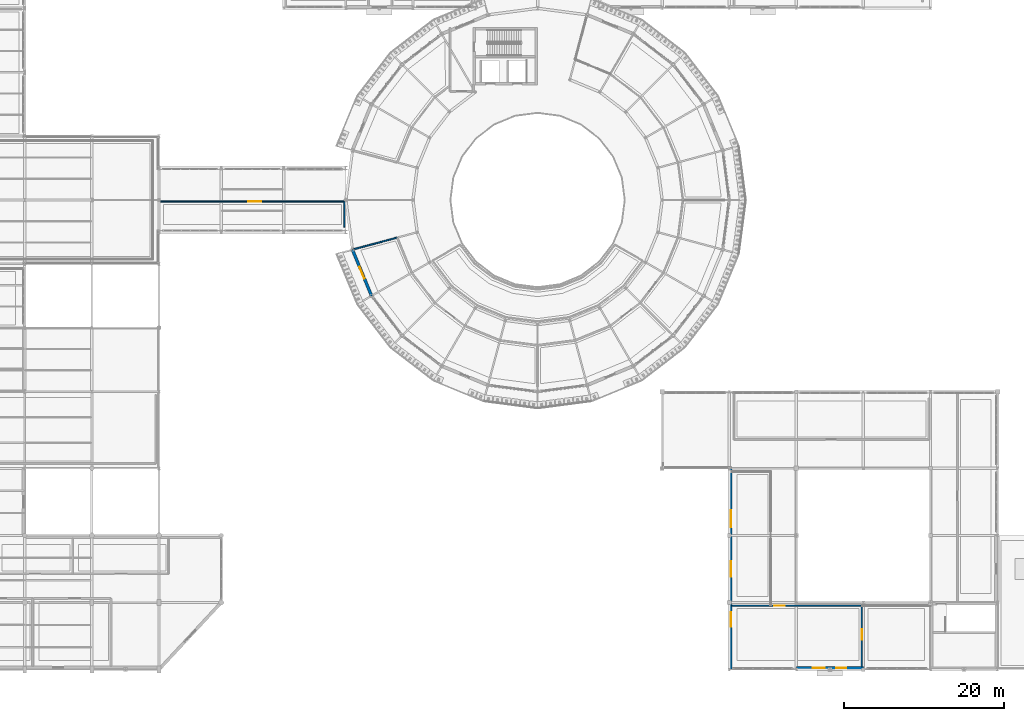
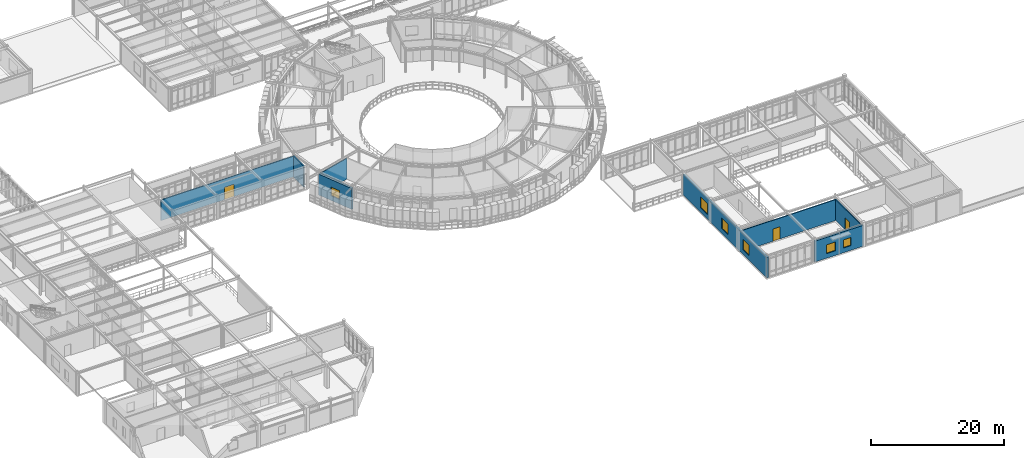
# One storey, part 85 of 106: 8 walls, 6 windows, 3 doors, 9 openings.
"""IFC4 building model written with IfcOpenShell, lengths in metres."""

from ifc_helpers import new_model, si_unit, derived_unit, direction, frame, frame_2d, origin, place, context, subcontext, project, spatial, rectangle, extrude, material, layer, layer_set, type_object, element, fill, save


model = new_model("IFC4")

# Units and contexts
model_context = context("Model", 3, precision=1e-05, world=origin(), true_north=direction((0.0, 1.0)))
body_context = subcontext(model_context, "Body", "Model", "MODEL_VIEW")
ifc_project = project(units=[si_unit("LENGTHUNIT", "METRE"), si_unit("AREAUNIT", "SQUARE_METRE"), si_unit("VOLUMEUNIT", "CUBIC_METRE"), si_unit("PLANEANGLEUNIT", "RADIAN"), si_unit("MASSUNIT", "GRAM", prefix="KILO"), derived_unit("THERMALTRANSMITTANCEUNIT", [(si_unit("POWERUNIT", "WATT"), 1), (si_unit("AREAUNIT", "SQUARE_METRE"), -1), (si_unit("THERMODYNAMICTEMPERATUREUNIT", "KELVIN"), -1)])], contexts=[model_context])

# Site, building, storey
site_placement = place(None, origin())
site = spatial("IfcSite", under=ifc_project, at=site_placement, CompositionType="ELEMENT")
building_placement = place(site_placement, origin())
building = spatial("IfcBuilding", under=site, at=building_placement, Name="Yasenodar Specialist Clinic", CompositionType="ELEMENT")
storey_placement = place(building_placement, frame((0.0, 0.0, 4.5)))
storey = spatial("IfcBuildingStorey", under=building, at=storey_placement, Name="L01", CompositionType="ELEMENT", Elevation=4.5)

# Wall, opening, window
ifc_material_1 = material(Name="Drum Insulated Terracotta Chord Wall", Category="masonry")
ifc_layer_1 = layer(ifc_material_1, 0.364990234375)
ifc_layer_set_1 = layer_set([ifc_layer_1], Name="Drum Insulated Terracotta Chord Wall")
wall_type_1 = type_object("IfcWallType", Name="EW-DRUM-365", PredefinedType="SOLIDWALL", material=ifc_layer_set_1)
wall_1_placement = place(storey_placement, frame((60.21533203125, 46.800048828125, 0.0), z_axis=(0.0, 0.0, 1.0), x_axis=(-0.382663829839, 0.9238876519, 0.0)))
wall_1 = element("IfcWall", 1, at=wall_1_placement, inside=storey, type_object=wall_type_1, Name="L01 Exterior Facade Wall 0013", PredefinedType="SOLIDWALL", context=body_context, shape_type="SweptSolid", body=[
    extrude(rectangle(XDim=6.26513671875, YDim=0.364990234375, at=frame_2d((3.132568359375, 0.0))), origin(), (0.0, 0.0, 1.0), 3.837890625),
])
opening_1_placement = place(wall_1_placement, frame((2.357666015625, 0.0, 0.85009765625)))
opening_1 = element("IfcOpeningElement", 2, at=opening_1_placement, cuts=wall_1, Name="Opening W-16", PredefinedType="OPENING", context=body_context, shape_type="SweptSolid", body=[
    extrude(rectangle(XDim=1.550048828125, YDim=1.60009765625, at=frame_2d((0.77490234375, 0.800048828125))), frame((0.0, 0.1923828125, 0.0), z_axis=(0.0, -1.0, 0.0), x_axis=(1.0, 0.0, 0.0)), (0.0, 0.0, 1.0), 0.385009765625),
])
ifc_material_2 = material(Name="Triple Low-E Argon Glazing in Bronze Aluminium Frame", Category="aluminium")
window_type_1 = type_object("IfcWindowType", Name="WIN-EXT-16", PartitioningType="SINGLE_PANEL", PredefinedType="WINDOW", material=ifc_material_2)
window_1_placement = place(opening_1_placement, origin())
window_1 = element("IfcWindow", 3, at=window_1_placement, inside=storey, type_object=window_type_1, Name="L01 Triple-Glazed Reveal Window 0009", OverallHeight=1.60009765625, OverallWidth=1.550048828125, PartitioningType="SINGLE_PANEL", PredefinedType="WINDOW", context=body_context, shape_type="SweptSolid", body=[
    extrude(rectangle(XDim=1.550048828125, YDim=1.60009765625, at=frame_2d((0.77490234375, 0.800048828125))), frame((0.0, 0.030029296875, 0.0), z_axis=(0.0, -1.0, 0.0), x_axis=(1.0, 0.0, 0.0)), (0.0, 0.0, 1.0), 0.06005859375),
])
fill(opening_1, window_1)

# Wall, openings, windows
ifc_material_3 = material(Name="Fluted Terracotta Spandrel Wall", Category="masonry")
ifc_layer_2 = layer(ifc_material_3, 0.31494140625)
ifc_layer_set_2 = layer_set([ifc_layer_2], Name="Fluted Terracotta Spandrel Wall")
wall_type_2 = type_object("IfcWallType", Name="EW-TERR-315", PredefinedType="SOLIDWALL", material=ifc_layer_set_2)
wall_2_placement = place(storey_placement, frame((105.199951171875, 0.0, 0.0), z_axis=(0.0, 0.0, 1.0), x_axis=(0.0, 1.0, 0.0)))
wall_2 = element("IfcWall", 4, at=wall_2_placement, inside=storey, type_object=wall_type_2, Name="L01 Exterior Facade Wall 0079", PredefinedType="SOLIDWALL", context=body_context, shape_type="SweptSolid", body=[
    extrude(rectangle(XDim=25.199951171875, YDim=0.31494140625, at=frame_2d((12.60009765625, 0.0))), origin(), (0.0, 0.0, 1.0), 3.778076171875),
])
opening_2_placement = place(wall_2_placement, frame((5.39990234375, 0.0, 0.85009765625)))
opening_2 = element("IfcOpeningElement", 5, at=opening_2_placement, cuts=wall_2, Name="Opening W-05", PredefinedType="OPENING", context=body_context, shape_type="SweptSolid", body=[
    extrude(rectangle(XDim=1.800048828125, YDim=1.949951171875, at=frame_2d((0.89990234375, 0.97509765625))), frame((0.0, 0.16748046875, 0.0), z_axis=(0.0, -1.0, 0.0), x_axis=(1.0, 0.0, 0.0)), (0.0, 0.0, 1.0), 0.3349609375),
])
opening_3_placement = place(wall_2_placement, frame((11.60009765625, 0.0, 0.85009765625)))
opening_3 = element("IfcOpeningElement", 6, at=opening_3_placement, cuts=wall_2, Name="Opening W-06", PredefinedType="OPENING", context=body_context, shape_type="SweptSolid", body=[
    extrude(rectangle(XDim=2.0, YDim=1.949951171875, at=frame_2d((1.0, 0.97509765625))), frame((0.0, 0.16748046875, 0.0), z_axis=(0.0, -1.0, 0.0), x_axis=(1.0, 0.0, 0.0)), (0.0, 0.0, 1.0), 0.3349609375),
])
opening_4_placement = place(wall_2_placement, frame((17.85009765625, 0.0, 0.85009765625)))
opening_4 = element("IfcOpeningElement", 7, at=opening_4_placement, cuts=wall_2, Name="Opening W-07", PredefinedType="OPENING", context=body_context, shape_type="SweptSolid", body=[
    extrude(rectangle(XDim=2.10009765625, YDim=2.0, at=frame_2d((1.050048828125, 1.0))), frame((0.0, 0.16748046875, 0.0), z_axis=(0.0, -1.0, 0.0), x_axis=(1.0, 0.0, 0.0)), (0.0, 0.0, 1.0), 0.3349609375),
])
window_type_2 = type_object("IfcWindowType", Name="WIN-EXT-05", PartitioningType="SINGLE_PANEL", PredefinedType="WINDOW", material=ifc_material_2)
window_2_placement = place(opening_2_placement, origin())
window_2 = element("IfcWindow", 8, at=window_2_placement, inside=storey, type_object=window_type_2, Name="L01 Triple-Glazed Reveal Window 0063", OverallHeight=1.949951171875, OverallWidth=1.800048828125, PartitioningType="SINGLE_PANEL", PredefinedType="WINDOW", context=body_context, shape_type="SweptSolid", body=[
    extrude(rectangle(XDim=1.800048828125, YDim=1.949951171875, at=frame_2d((0.89990234375, 0.97509765625))), frame((0.0, 0.030029296875, 0.0), z_axis=(0.0, -1.0, 0.0), x_axis=(1.0, 0.0, 0.0)), (0.0, 0.0, 1.0), 0.06005859375),
])
fill(opening_2, window_2)
window_type_3 = type_object("IfcWindowType", Name="WIN-EXT-06", PartitioningType="SINGLE_PANEL", PredefinedType="WINDOW", material=ifc_material_2)
window_3_placement = place(opening_3_placement, origin())
window_3 = element("IfcWindow", 9, at=window_3_placement, inside=storey, type_object=window_type_3, Name="L01 Triple-Glazed Reveal Window 0064", OverallHeight=1.949951171875, OverallWidth=2.0, PartitioningType="SINGLE_PANEL", PredefinedType="WINDOW", context=body_context, shape_type="SweptSolid", body=[
    extrude(rectangle(XDim=2.0, YDim=1.949951171875, at=frame_2d((1.0, 0.97509765625))), frame((0.0, 0.030029296875, 0.0), z_axis=(0.0, -1.0, 0.0), x_axis=(1.0, 0.0, 0.0)), (0.0, 0.0, 1.0), 0.06005859375),
])
fill(opening_3, window_3)
window_type_4 = type_object("IfcWindowType", Name="WIN-EXT-07", PartitioningType="SINGLE_PANEL", PredefinedType="WINDOW", material=ifc_material_2)
window_4_placement = place(opening_4_placement, origin())
window_4 = element("IfcWindow", 10, at=window_4_placement, inside=storey, type_object=window_type_4, Name="L01 Triple-Glazed Reveal Window 0065", OverallHeight=2.0, OverallWidth=2.10009765625, PartitioningType="SINGLE_PANEL", PredefinedType="WINDOW", context=body_context, shape_type="SweptSolid", body=[
    extrude(rectangle(XDim=2.10009765625, YDim=2.0, at=frame_2d((1.050048828125, 1.0))), frame((0.0, 0.030029296875, 0.0), z_axis=(0.0, -1.0, 0.0), x_axis=(1.0, 0.0, 0.0)), (0.0, 0.0, 1.0), 0.06005859375),
])
fill(opening_4, window_4)

ifc_material_4 = material(Name="Buff Architectural Terracotta Rainscreen", Category="masonry")
ifc_layer_3 = layer(ifc_material_4, 0.340087890625)
ifc_layer_set_3 = layer_set([ifc_layer_3], Name="Buff Architectural Terracotta Rainscreen")
wall_type_3 = type_object("IfcWallType", Name="EW-TERR-340", PredefinedType="SOLIDWALL", material=ifc_layer_set_3)
wall_3_placement = place(storey_placement, frame((121.800048828125, 0.199951171875, 0.0), z_axis=(0.0, 0.0, 1.0), x_axis=(-1.0, 0.0, 0.0)))
wall_3 = element("IfcWall", 11, at=wall_3_placement, inside=storey, type_object=wall_type_3, Name="L01 Exterior Facade Wall 0077", PredefinedType="SOLIDWALL", context=body_context, shape_type="SweptSolid", body=[
    extrude(rectangle(XDim=8.400146484375, YDim=0.340087890625, at=frame_2d((4.2001953125, 0.0))), origin(), (0.0, 0.0, 1.0), 3.827880859375),
])
opening_5_placement = place(wall_3_placement, frame((2.175048828125, 0.0, 0.85009765625)))
opening_5 = element("IfcOpeningElement", 12, at=opening_5_placement, cuts=wall_3, Name="Opening W-15", PredefinedType="OPENING", context=body_context, shape_type="SweptSolid", body=[
    extrude(rectangle(XDim=1.25, YDim=1.5, at=frame_2d((0.625, 0.75))), frame((0.0, 0.18017578125, 0.0), z_axis=(0.0, -1.0, 0.0), x_axis=(1.0, 0.0, 0.0)), (0.0, 0.0, 1.0), 0.360107421875),
])
opening_6_placement = place(wall_3_placement, frame((4.824951171875, 0.0, 0.85009765625)))
opening_6 = element("IfcOpeningElement", 13, at=opening_6_placement, cuts=wall_3, Name="Opening W-16", PredefinedType="OPENING", context=body_context, shape_type="SweptSolid", body=[
    extrude(rectangle(XDim=1.550048828125, YDim=1.60009765625, at=frame_2d((0.77490234375, 0.800048828125))), frame((0.0, 0.18017578125, 0.0), z_axis=(0.0, -1.0, 0.0), x_axis=(1.0, 0.0, 0.0)), (0.0, 0.0, 1.0), 0.360107421875),
])
window_type_5 = type_object("IfcWindowType", Name="WIN-EXT-15", PartitioningType="SINGLE_PANEL", PredefinedType="WINDOW", material=ifc_material_2)
window_5_placement = place(opening_5_placement, origin())
window_5 = element("IfcWindow", 14, at=window_5_placement, inside=storey, type_object=window_type_5, Name="L01 Triple-Glazed Reveal Window 0060", OverallHeight=1.5, OverallWidth=1.25, PartitioningType="SINGLE_PANEL", PredefinedType="WINDOW", context=body_context, shape_type="SweptSolid", body=[
    extrude(rectangle(XDim=1.25, YDim=1.5, at=frame_2d((0.625, 0.75))), frame((0.0, 0.030029296875, 0.0), z_axis=(0.0, -1.0, 0.0), x_axis=(1.0, 0.0, 0.0)), (0.0, 0.0, 1.0), 0.06005859375),
])
fill(opening_5, window_5)
window_6_placement = place(opening_6_placement, origin())
window_6 = element("IfcWindow", 15, at=window_6_placement, inside=storey, type_object=window_type_1, Name="L01 Triple-Glazed Reveal Window 0061", OverallHeight=1.60009765625, OverallWidth=1.550048828125, PartitioningType="SINGLE_PANEL", PredefinedType="WINDOW", context=body_context, shape_type="SweptSolid", body=[
    extrude(rectangle(XDim=1.550048828125, YDim=1.60009765625, at=frame_2d((0.77490234375, 0.800048828125))), frame((0.0, 0.030029296875, 0.0), z_axis=(0.0, -1.0, 0.0), x_axis=(1.0, 0.0, 0.0)), (0.0, 0.0, 1.0), 0.06005859375),
])
fill(opening_6, window_6)

# Wall, opening, door
ifc_material_5 = material(Name="Outpatient Examination Partition")
ifc_layer_4 = layer(ifc_material_5, 0.14990234375)
ifc_layer_set_4 = layer_set([ifc_layer_4], Name="Outpatient Examination Partition")
wall_type_4 = type_object("IfcWallType", Name="IW-CONS-150", PredefinedType="PARTITIONING", material=ifc_layer_set_4)
wall_4_placement = place(storey_placement, frame((105.33740234375, 8.0, 0.0), z_axis=(0.0, 0.0, 1.0), x_axis=(1.0, 0.0, 0.0)))
wall_4 = element("IfcWall", 16, at=wall_4_placement, inside=storey, type_object=wall_type_4, Name="L01 Occupational Therapy Activities Suite Partition", PredefinedType="PARTITIONING", context=body_context, shape_type="SweptSolid", body=[
    extrude(rectangle(XDim=16.2626953125, YDim=0.14990234375, at=frame_2d((8.13134765625, 0.0))), origin(), (0.0, 0.0, 1.0), 3.827880859375),
])
opening_7_placement = place(wall_4_placement, frame((5.3125, 0.0, 0.0)))
opening_7 = element("IfcOpeningElement", 17, at=opening_7_placement, cuts=wall_4, Name="Opening D-08", PredefinedType="OPENING", context=body_context, shape_type="SweptSolid", body=[
    extrude(rectangle(XDim=1.280029296875, YDim=2.219970703125, at=frame_2d((0.64013671875, 1.10986328125))), frame((0.0, 0.0849609375, 0.0), z_axis=(0.0, -1.0, 0.0), x_axis=(1.0, 0.0, 0.0)), (0.0, 0.0, 1.0), 0.169921875),
])
ifc_material_6 = material(Name="Powder-Coated Steel and Acoustic Laminate Leaf", Category="steel")
door_type_1 = type_object("IfcDoorType", Name="DR-CLN-128", OperationType="NOTDEFINED", PredefinedType="DOOR", material=ifc_material_6)
door_1_placement = place(opening_7_placement, origin())
door_1 = element("IfcDoor", 18, at=door_1_placement, inside=storey, type_object=door_type_1, Name="L01 Occupational Therapy Activities Suite Door", OperationType="SINGLE_SWING_RIGHT", OverallHeight=2.219970703125, OverallWidth=1.280029296875, PredefinedType="DOOR", context=body_context, shape_type="SweptSolid", body=[
    extrude(rectangle(XDim=1.280029296875, YDim=2.219970703125, at=frame_2d((0.64013671875, 1.10986328125))), frame((0.0, 0.02490234375, 0.0), z_axis=(0.0, -1.0, 0.0), x_axis=(1.0, 0.0, 0.0)), (0.0, 0.0, 1.0), 0.050048828125),
])
fill(opening_7, door_1)

wall_5_placement = place(storey_placement, frame((121.60009765625, 8.0, 0.0), z_axis=(0.0, 0.0, 1.0), x_axis=(0.0, -1.0, 0.0)))
wall_5 = element("IfcWall", 19, at=wall_5_placement, inside=storey, type_object=wall_type_4, Name="L01 Occupational Therapy Activities Suite Partition", PredefinedType="PARTITIONING", context=body_context, shape_type="SweptSolid", body=[
    extrude(rectangle(XDim=7.64990234375, YDim=0.14990234375, at=frame_2d((3.824951171875, 0.0))), origin(), (0.0, 0.0, 1.0), 3.827880859375),
])
opening_8_placement = place(wall_5_placement, frame((2.919921875, 0.0, 0.0)))
opening_8 = element("IfcOpeningElement", 20, at=opening_8_placement, cuts=wall_5, Name="Opening D-11", PredefinedType="OPENING", context=body_context, shape_type="SweptSolid", body=[
    extrude(rectangle(XDim=1.360107421875, YDim=2.199951171875, at=frame_2d((0.68017578125, 1.10009765625))), frame((0.0, 0.0849609375, 0.0), z_axis=(0.0, -1.0, 0.0), x_axis=(1.0, 0.0, 0.0)), (0.0, 0.0, 1.0), 0.169921875),
])
door_type_2 = type_object("IfcDoorType", Name="DR-PLT-136", OperationType="NOTDEFINED", PredefinedType="DOOR", material=ifc_material_6)
door_2_placement = place(opening_8_placement, origin())
door_2 = element("IfcDoor", 21, at=door_2_placement, inside=storey, type_object=door_type_2, Name="L01 Instrumented Gait and Motion Laboratory Door", OperationType="SINGLE_SWING_LEFT", OverallHeight=2.199951171875, OverallWidth=1.360107421875, PredefinedType="DOOR", context=body_context, shape_type="SweptSolid", body=[
    extrude(rectangle(XDim=1.360107421875, YDim=2.199951171875, at=frame_2d((0.68017578125, 1.10009765625))), frame((0.0, 0.02490234375, 0.0), z_axis=(0.0, -1.0, 0.0), x_axis=(1.0, 0.0, 0.0)), (0.0, 0.0, 1.0), 0.050048828125),
])
fill(opening_8, door_2)

ifc_material_7 = material(Name="Acoustic Double-Gypsum Consulting Partition")
ifc_layer_5 = layer(ifc_material_7, 0.159912109375)
ifc_layer_set_5 = layer_set([ifc_layer_5], Name="Acoustic Double-Gypsum Consulting Partition")
wall_type_5 = type_object("IfcWallType", Name="IW-CONS-160", PredefinedType="PARTITIONING", material=ifc_layer_set_5)
wall_6_placement = place(storey_placement, frame((33.800048828125, 58.60009765625, 0.0), z_axis=(0.0, 0.0, 1.0), x_axis=(1.0, 0.0, 0.0)))
wall_6 = element("IfcWall", 22, at=wall_6_placement, inside=storey, type_object=wall_type_5, Name="L01 Light Bridge Concourse Gallery Partition", PredefinedType="PARTITIONING", context=body_context, shape_type="SweptSolid", body=[
    extrude(rectangle(XDim=23.0, YDim=0.159912109375, at=frame_2d((11.5, 0.0))), origin(), (0.0, 0.0, 1.0), 3.778076171875),
])
opening_9_placement = place(wall_6_placement, frame((10.949951171875, 0.0, 0.0)))
opening_9 = element("IfcOpeningElement", 23, at=opening_9_placement, cuts=wall_6, Name="Opening D-10", PredefinedType="OPENING", context=body_context, shape_type="SweptSolid", body=[
    extrude(rectangle(XDim=1.679931640625, YDim=2.260009765625, at=frame_2d((0.83984375, 1.1298828125))), frame((0.0, 0.08984375, 0.0), z_axis=(0.0, -1.0, 0.0), x_axis=(1.0, 0.0, 0.0)), (0.0, 0.0, 1.0), 0.179931640625),
])
door_type_3 = type_object("IfcDoorType", Name="DR-BED-168", OperationType="DOUBLE_DOOR_SINGLE_SWING", PredefinedType="DOOR", material=ifc_material_6)
door_3_placement = place(opening_9_placement, origin())
door_3 = element("IfcDoor", 24, at=door_3_placement, inside=storey, type_object=door_type_3, Name="L01 Light Bridge Concourse Gallery Door", OperationType="DOUBLE_DOOR_SINGLE_SWING", OverallHeight=2.260009765625, OverallWidth=1.679931640625, PredefinedType="DOOR", context=body_context, shape_type="SweptSolid", body=[
    extrude(rectangle(XDim=1.679931640625, YDim=2.260009765625, at=frame_2d((0.83984375, 1.1298828125))), frame((0.0, 0.02490234375, 0.0), z_axis=(0.0, -1.0, 0.0), x_axis=(1.0, 0.0, 0.0)), (0.0, 0.0, 1.0), 0.050048828125),
])
fill(opening_9, door_3)

# Walls
wall_7_placement = place(storey_placement, frame((56.800048828125, 58.60009765625, 0.0), z_axis=(0.0, 0.0, 1.0), x_axis=(0.0, -1.0, 0.0)))
element("IfcWall", 25, at=wall_7_placement, inside=storey, type_object=wall_type_5, Name="L01 Light Bridge Concourse Gallery Partition", PredefinedType="PARTITIONING", context=body_context, shape_type="SweptSolid", body=[
    extrude(rectangle(XDim=3.2001953125, YDim=0.159912109375, at=frame_2d((1.60009765625, 0.0))), origin(), (0.0, 0.0, 1.0), 3.837890625),
])
ifc_material_8 = material(Name="Cleanroom Laboratory Partition")
ifc_layer_6 = layer(ifc_material_8, 0.169921875)
ifc_layer_set_6 = layer_set([ifc_layer_6], Name="Cleanroom Laboratory Partition")
wall_type_6 = type_object("IfcWallType", Name="IW-LAB-170", PredefinedType="PARTITIONING", material=ifc_layer_set_6)
wall_8_placement = place(storey_placement, frame((57.976318359375, 52.630859375, 0.0), z_axis=(0.0, 0.0, 1.0), x_axis=(0.965922914043, 0.258829913508, 0.0)))
element("IfcWall", 26, at=wall_8_placement, inside=storey, type_object=wall_type_6, Name="L01 Hematology Day-Treatment Suite Partition", PredefinedType="PARTITIONING", context=body_context, shape_type="SweptSolid", body=[
    extrude(rectangle(XDim=5.635986328125, YDim=0.169921875, at=frame_2d((2.81787109375, 0.0))), origin(), (0.0, 0.0, 1.0), 3.837890625),
])

save(model, "model.ifc")
